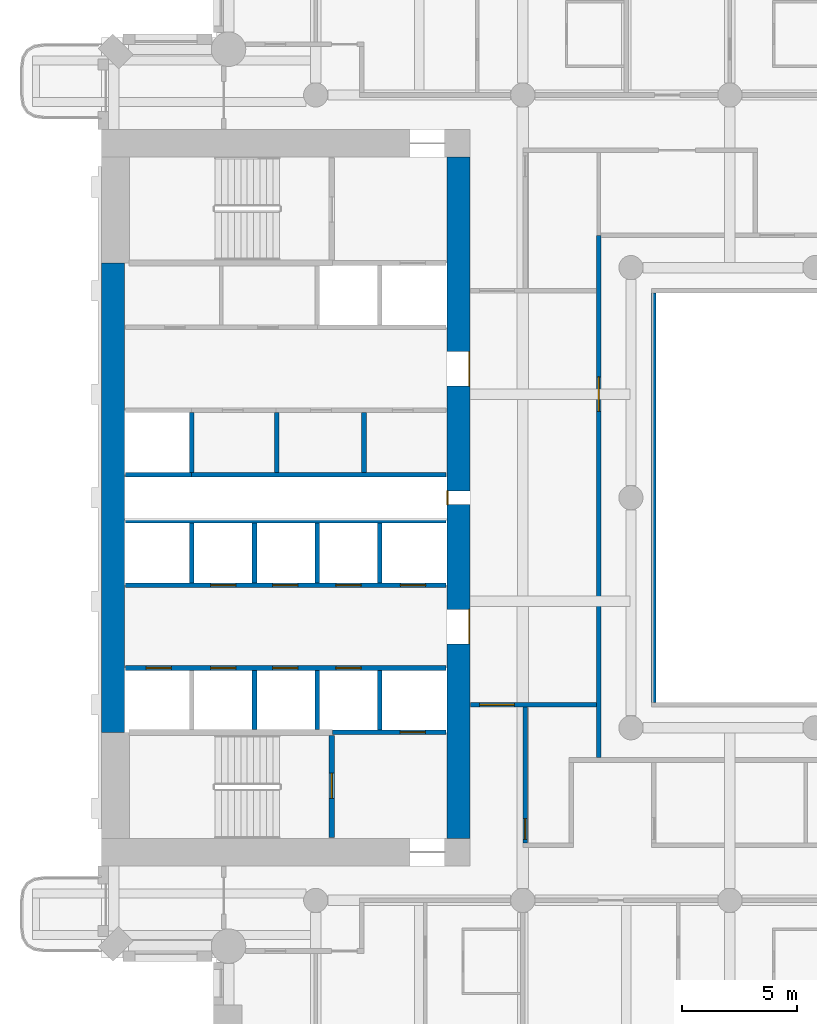
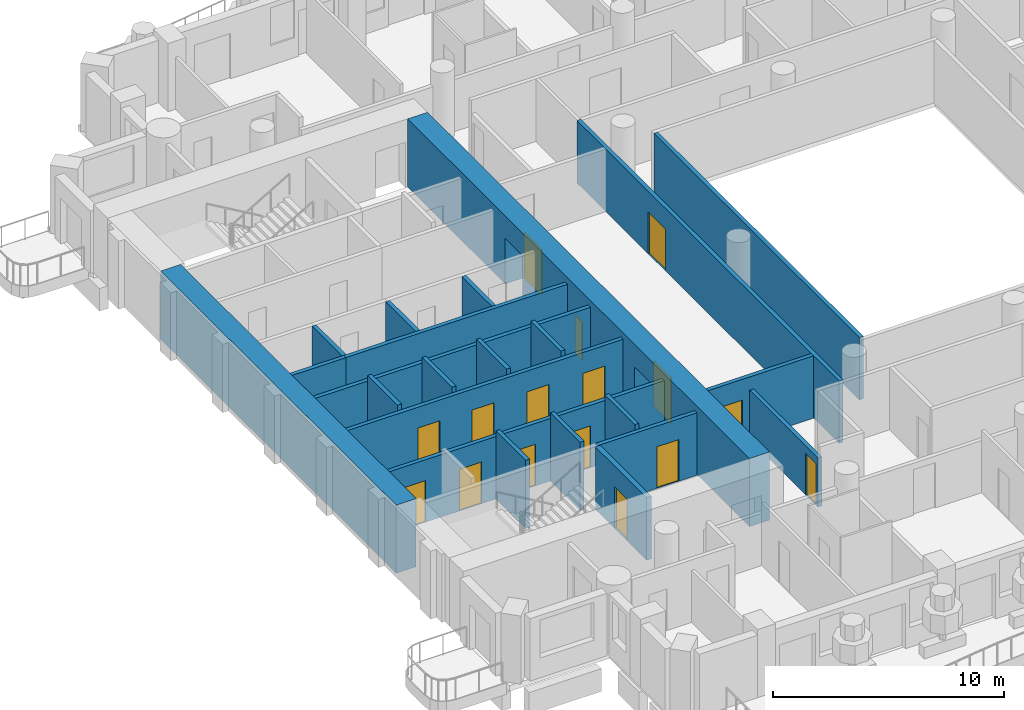
# One storey, part 4 of 20: 23 walls, 16 doors, 16 openings.
"""IFC4 building model written with IfcOpenShell, lengths in metres."""

from ifc_helpers import new_model, si_unit, direction, frame, frame_2d, origin, place, context, subcontext, project, spatial, rectangle, extrude, material, layer, layer_set, type_object, element, fill, save


model = new_model("IFC4")

# Units and contexts
model_context = context("Model", 3, precision=1e-05, world=origin(), true_north=direction((0.0, 1.0)))
body_context = subcontext(model_context, "Body", "Model", "MODEL_VIEW")
ifc_project = project(units=[si_unit("LENGTHUNIT", "METRE"), si_unit("AREAUNIT", "SQUARE_METRE"), si_unit("VOLUMEUNIT", "CUBIC_METRE"), si_unit("PLANEANGLEUNIT", "RADIAN"), si_unit("MASSUNIT", "GRAM", prefix="KILO")], contexts=[model_context])

# Site, building, storey
site_placement = place(None, origin())
site = spatial("IfcSite", under=ifc_project, at=site_placement, CompositionType="ELEMENT")
building_placement = place(site_placement, origin())
building = spatial("IfcBuilding", under=site, at=building_placement, Name="Cypress Arch Tower", CompositionType="ELEMENT")
storey_placement = place(building_placement, frame((0.0, 0.0, 134.699951171875)))
storey = spatial("IfcBuildingStorey", under=building, at=storey_placement, Name="L29", CompositionType="ELEMENT", Elevation=134.699951171875)

# Wall, openings, doors
ifc_material_1 = material(Name="Concrete C80/95", Category="concrete")
ifc_layer_1 = layer(ifc_material_1, 1.0)
ifc_layer_set_1 = layer_set([ifc_layer_1], Name="Core wall CW1000 C80/95")
wall_type_1 = type_object("IfcWallType", Name="Core wall CW1000 C80/95", PredefinedType="SHEAR", material=ifc_layer_set_1)
wall_1_placement = place(storey_placement, frame((-14.5, -14.800048828125, 0.0), z_axis=(0.0, 0.0, 1.0), x_axis=(0.0, 1.0, 0.0)))
wall_1 = element("IfcWall", 1, at=wall_1_placement, inside=storey, type_object=wall_type_1, Name="Core wall", PredefinedType="SHEAR", context=body_context, shape_type="SweptSolid", body=[
    extrude(rectangle(XDim=29.60009765625, YDim=1.0, at=frame_2d((14.800048828125, 0.0))), origin(), (0.0, 0.0, 1.0), 3.60009765625),
])
opening_1_placement = place(wall_1_placement, frame((8.449951171875, 0.0, 0.0)))
opening_1 = element("IfcOpeningElement", 2, at=opening_1_placement, cuts=wall_1, Name="Opening D07", PredefinedType="OPENING", context=body_context, shape_type="SweptSolid", body=[
    extrude(rectangle(XDim=1.5, YDim=2.39990234375, at=frame_2d((0.75, 1.199951171875))), frame((0.0, 0.510009765625, 0.0), z_axis=(0.0, -1.0, 0.0), x_axis=(1.0, 0.0, 0.0)), (0.0, 0.0, 1.0), 1.02001953125),
])
opening_2_placement = place(wall_1_placement, frame((19.64990234375, 0.0, 0.0)))
opening_2 = element("IfcOpeningElement", 3, at=opening_2_placement, cuts=wall_1, Name="Opening D07", PredefinedType="OPENING", context=body_context, shape_type="SweptSolid", body=[
    extrude(rectangle(XDim=1.5, YDim=2.39990234375, at=frame_2d((0.75, 1.199951171875))), frame((0.0, 0.510009765625, 0.0), z_axis=(0.0, -1.0, 0.0), x_axis=(1.0, 0.0, 0.0)), (0.0, 0.0, 1.0), 1.02001953125),
])
opening_3_placement = place(wall_1_placement, frame((14.5, 0.0, 0.0)))
opening_3 = element("IfcOpeningElement", 4, at=opening_3_placement, cuts=wall_1, Name="Opening D08", PredefinedType="OPENING", context=body_context, shape_type="SweptSolid", body=[
    extrude(rectangle(XDim=0.60009765625, YDim=2.0, at=frame_2d((0.300048828125, 1.0))), frame((0.0, 0.510009765625, 0.0), z_axis=(0.0, -1.0, 0.0), x_axis=(1.0, 0.0, 0.0)), (0.0, 0.0, 1.0), 1.02001953125),
])
ifc_material_2 = material(Name="Steel framed glazed door, fire resisting", Category="steel")
door_type_1 = type_object("IfcDoorType", Name="Lobby door D07 1500x2400", OperationType="DOUBLE_DOOR_SINGLE_SWING", PredefinedType="DOOR", material=ifc_material_2)
door_1_placement = place(opening_1_placement, origin())
door_1 = element("IfcDoor", 5, at=door_1_placement, inside=storey, type_object=door_type_1, Name="Lobby door", OperationType="DOUBLE_DOOR_SINGLE_SWING", OverallHeight=2.39990234375, OverallWidth=1.5, PredefinedType="DOOR", context=body_context, shape_type="SweptSolid", body=[
    extrude(rectangle(XDim=1.5, YDim=2.39990234375, at=frame_2d((0.75, 1.199951171875))), frame((0.0, -0.44482421875, 0.0), z_axis=(0.0, -1.0, 0.0), x_axis=(1.0, 0.0, 0.0)), (0.0, 0.0, 1.0), 0.050048828125),
])
fill(opening_1, door_1)
door_2_placement = place(opening_2_placement, origin())
door_2 = element("IfcDoor", 6, at=door_2_placement, inside=storey, type_object=door_type_1, Name="Lobby door", OperationType="DOUBLE_DOOR_SINGLE_SWING", OverallHeight=2.39990234375, OverallWidth=1.5, PredefinedType="DOOR", context=body_context, shape_type="SweptSolid", body=[
    extrude(rectangle(XDim=1.5, YDim=2.39990234375, at=frame_2d((0.75, 1.199951171875))), frame((0.0, -0.44482421875, 0.0), z_axis=(0.0, -1.0, 0.0), x_axis=(1.0, 0.0, 0.0)), (0.0, 0.0, 1.0), 0.050048828125),
])
fill(opening_2, door_2)
ifc_material_3 = material(Name="Steel access door, fire resisting", Category="steel")
door_type_2 = type_object("IfcDoorType", Name="Riser access door D08 600x2000", OperationType="SINGLE_SWING_LEFT", PredefinedType="DOOR", material=ifc_material_3)
door_3_placement = place(opening_3_placement, origin())
door_3 = element("IfcDoor", 7, at=door_3_placement, inside=storey, type_object=door_type_2, Name="Riser access door", OperationType="SINGLE_SWING_RIGHT", OverallHeight=2.0, OverallWidth=0.60009765625, PredefinedType="DOOR", context=body_context, shape_type="SweptSolid", body=[
    extrude(rectangle(XDim=0.60009765625, YDim=2.0, at=frame_2d((0.300048828125, 1.0))), frame((0.0, 0.4951171875, 0.0), z_axis=(0.0, -1.0, 0.0), x_axis=(1.0, 0.0, 0.0)), (0.0, 0.0, 1.0), 0.050048828125),
])
fill(opening_3, door_3)

# Wall
wall_2_placement = place(storey_placement, frame((-29.5, -10.199951171875, 0.0), z_axis=(0.0, 0.0, 1.0), x_axis=(0.0, 1.0, 0.0)))
element("IfcWall", 8, at=wall_2_placement, inside=storey, type_object=wall_type_1, Name="Core wall", PredefinedType="SHEAR", context=body_context, shape_type="SweptSolid", body=[
    extrude(rectangle(XDim=20.39990234375, YDim=1.0, at=frame_2d((10.199951171875, 0.0))), origin(), (0.0, 0.0, 1.0), 3.60009765625),
])

# Wall, opening, door
ifc_material_4 = material(Name="Concrete blockwork, plastered, rated", Category="masonry")
ifc_layer_2 = layer(ifc_material_4, 0.199951171875)
ifc_layer_set_2 = layer_set([ifc_layer_2], Name="Corridor wall FW200")
wall_type_2 = type_object("IfcWallType", Name="Corridor wall FW200", PredefinedType="PARTITIONING", material=ifc_layer_set_2)
wall_3_placement = place(storey_placement, frame((-13.969970703125, -9.0, 0.0), z_axis=(0.0, 0.0, 1.0), x_axis=(1.0, 0.0, 0.0)))
wall_3 = element("IfcWall", 9, at=wall_3_placement, inside=storey, type_object=wall_type_2, Name="Corridor wall", PredefinedType="PARTITIONING", context=body_context, shape_type="SweptSolid", body=[
    extrude(rectangle(XDim=5.469970703125, YDim=0.199951171875, at=frame_2d((2.73486328125, 0.0))), origin(), (0.0, 0.0, 1.0), 3.300048828125),
])
opening_4_placement = place(wall_3_placement, frame((0.39990234375, 0.0, 0.0)))
opening_4 = element("IfcOpeningElement", 10, at=opening_4_placement, cuts=wall_3, Name="Opening D04", PredefinedType="OPENING", context=body_context, shape_type="SweptSolid", body=[
    extrude(rectangle(XDim=1.5, YDim=2.199951171875, at=frame_2d((0.75, 1.10009765625))), frame((0.0, 0.10986328125, 0.0), z_axis=(0.0, -1.0, 0.0), x_axis=(1.0, 0.0, 0.0)), (0.0, 0.0, 1.0), 0.219970703125),
])
ifc_material_5 = material(Name="Timber double door", Category="wood")
door_type_3 = type_object("IfcDoorType", Name="Double door D04 1500x2200", OperationType="DOUBLE_DOOR_SINGLE_SWING", PredefinedType="DOOR", material=ifc_material_5)
door_4_placement = place(opening_4_placement, origin())
door_4 = element("IfcDoor", 11, at=door_4_placement, inside=storey, type_object=door_type_3, Name="Double door", OperationType="DOUBLE_DOOR_SINGLE_SWING", OverallHeight=2.199951171875, OverallWidth=1.5, PredefinedType="DOOR", context=body_context, shape_type="SweptSolid", body=[
    extrude(rectangle(XDim=1.5, YDim=2.199951171875, at=frame_2d((0.75, 1.10009765625))), frame((0.0, 0.02490234375, 0.0), z_axis=(0.0, -1.0, 0.0), x_axis=(1.0, 0.0, 0.0)), (0.0, 0.0, 1.0), 0.050048828125),
])
fill(opening_4, door_4)

wall_4_placement = place(storey_placement, frame((-11.60009765625, -15.0, 0.0), z_axis=(0.0, 0.0, 1.0), x_axis=(0.0, 1.0, 0.0)))
wall_4 = element("IfcWall", 12, at=wall_4_placement, inside=storey, type_object=wall_type_2, Name="Corridor wall", PredefinedType="PARTITIONING", context=body_context, shape_type="SweptSolid", body=[
    extrude(rectangle(XDim=5.89990234375, YDim=0.199951171875, at=frame_2d((2.949951171875, 0.0))), origin(), (0.0, 0.0, 1.0), 2.60009765625),
])
opening_5_placement = place(wall_4_placement, frame((0.14990234375, 0.0, 0.0)))
opening_5 = element("IfcOpeningElement", 13, at=opening_5_placement, cuts=wall_4, Name="Opening D05", PredefinedType="OPENING", context=body_context, shape_type="SweptSolid", body=[
    extrude(rectangle(XDim=0.89990234375, YDim=2.199951171875, at=frame_2d((0.449951171875, 1.10009765625))), frame((0.0, 0.10986328125, 0.0), z_axis=(0.0, -1.0, 0.0), x_axis=(1.0, 0.0, 0.0)), (0.0, 0.0, 1.0), 0.219970703125),
])
ifc_material_6 = material(Name="Timber flush door", Category="wood")
door_type_4 = type_object("IfcDoorType", Name="Service door D05 900x2200", OperationType="SINGLE_SWING_LEFT", PredefinedType="DOOR", material=ifc_material_6)
door_5_placement = place(opening_5_placement, origin())
door_5 = element("IfcDoor", 14, at=door_5_placement, inside=storey, type_object=door_type_4, Name="Service door", OperationType="SINGLE_SWING_RIGHT", OverallHeight=2.199951171875, OverallWidth=0.89990234375, PredefinedType="DOOR", context=body_context, shape_type="SweptSolid", body=[
    extrude(rectangle(XDim=0.89990234375, YDim=2.199951171875, at=frame_2d((0.449951171875, 1.10009765625))), frame((0.0, 0.02490234375, 0.0), z_axis=(0.0, -1.0, 0.0), x_axis=(1.0, 0.0, 0.0)), (0.0, 0.0, 1.0), 0.050048828125),
])
fill(opening_5, door_5)

wall_5_placement = place(storey_placement, frame((-8.39990234375, -11.300048828125, 0.0), z_axis=(0.0, 0.0, 1.0), x_axis=(0.0, 1.0, 0.0)))
wall_5 = element("IfcWall", 15, at=wall_5_placement, inside=storey, type_object=wall_type_2, Name="Corridor wall", PredefinedType="PARTITIONING", context=body_context, shape_type="SweptSolid", body=[
    extrude(rectangle(XDim=22.699951171875, YDim=0.199951171875, at=frame_2d((11.35009765625, 0.0))), origin(), (0.0, 0.0, 1.0), 3.300048828125),
])
opening_6_placement = place(wall_5_placement, frame((15.050048828125, 0.0, 0.0)))
opening_6 = element("IfcOpeningElement", 16, at=opening_6_placement, cuts=wall_5, Name="Opening D04", PredefinedType="OPENING", context=body_context, shape_type="SweptSolid", body=[
    extrude(rectangle(XDim=1.5, YDim=2.199951171875, at=frame_2d((0.75, 1.10009765625))), frame((0.0, 0.10986328125, 0.0), z_axis=(0.0, -1.0, 0.0), x_axis=(1.0, 0.0, 0.0)), (0.0, 0.0, 1.0), 0.219970703125),
])
door_6_placement = place(opening_6_placement, origin())
door_6 = element("IfcDoor", 17, at=door_6_placement, inside=storey, type_object=door_type_3, Name="Double door", OperationType="DOUBLE_DOOR_SINGLE_SWING", OverallHeight=2.199951171875, OverallWidth=1.5, PredefinedType="DOOR", context=body_context, shape_type="SweptSolid", body=[
    extrude(rectangle(XDim=1.5, YDim=2.199951171875, at=frame_2d((0.75, 1.10009765625))), frame((0.0, 0.02490234375, 0.0), z_axis=(0.0, -1.0, 0.0), x_axis=(1.0, 0.0, 0.0)), (0.0, 0.0, 1.0), 0.050048828125),
])
fill(opening_6, door_6)

# Walls
wall_6_placement = place(storey_placement, frame((-6.0, -8.89990234375, 0.0), z_axis=(0.0, 0.0, 1.0), x_axis=(0.0, 1.0, 0.0)))
element("IfcWall", 18, at=wall_6_placement, inside=storey, type_object=wall_type_2, Name="Corridor wall", PredefinedType="PARTITIONING", context=body_context, shape_type="SweptSolid", body=[
    extrude(rectangle(XDim=17.7998046875, YDim=0.199951171875, at=frame_2d((8.89990234375, 0.0))), origin(), (0.0, 0.0, 1.0), 3.300048828125),
])
ifc_material_7 = material(Name="Reinforced blockwork, plastered, rated", Category="masonry")
ifc_layer_3 = layer(ifc_material_7, 0.199951171875)
ifc_layer_set_3 = layer_set([ifc_layer_3], Name="Plant and riser wall PL200")
wall_type_3 = type_object("IfcWallType", Name="Plant and riser wall PL200", PredefinedType="PARTITIONING", material=ifc_layer_set_3)
wall_7_placement = place(storey_placement, frame((-26.10009765625, 1.0, 0.0), z_axis=(0.0, 0.0, 1.0), x_axis=(1.0, 0.0, 0.0)))
element("IfcWall", 19, at=wall_7_placement, inside=storey, type_object=wall_type_3, Name="Plant and riser wall", PredefinedType="PARTITIONING", context=body_context, shape_type="SweptSolid", body=[
    extrude(rectangle(XDim=11.070068359375, YDim=0.199951171875, at=frame_2d((5.53515625, 0.0))), origin(), (0.0, 0.0, 1.0), 3.300048828125),
])
for number, where, z_axis, x_axis, name in (
    (20, (-22.39990234375, 1.10009765625, 0.0), (0.0, 0.0, 1.0), (0.0, 1.0, 0.0), "Plant and riser wall"),
    (21, (-18.60009765625, 1.10009765625, 0.0), (0.0, 0.0, 1.0), (0.0, 1.0, 0.0), "Plant and riser wall"),
):
    element("IfcWall", number, at=place(storey_placement, frame(where, z_axis=z_axis, x_axis=x_axis)), inside=storey, type_object=wall_type_3, Name=name, PredefinedType="PARTITIONING", context=body_context, shape_type="SweptSolid", body=[
        extrude(rectangle(XDim=2.599853515625, YDim=0.199951171875, at=frame_2d((1.2998046875, 0.0))), origin(), (0.0, 0.0, 1.0), 3.300048828125),
    ])

# Wall, openings, doors
ifc_material_8 = material(Name="Concrete C50/60", Category="concrete")
ifc_layer_4 = layer(ifc_material_8, 0.199951171875)
ifc_layer_set_4 = layer_set([ifc_layer_4], Name="Shaft wall SH200")
wall_type_4 = type_object("IfcWallType", Name="Shaft wall SH200", PredefinedType="SHEAR", material=ifc_layer_set_4)
wall_8_placement = place(storey_placement, frame((-28.969970703125, -7.39990234375, 0.0), z_axis=(0.0, 0.0, 1.0), x_axis=(1.0, 0.0, 0.0)))
wall_8 = element("IfcWall", 22, at=wall_8_placement, inside=storey, type_object=wall_type_4, Name="Shaft wall", PredefinedType="SHEAR", context=body_context, shape_type="SweptSolid", body=[
    extrude(rectangle(XDim=13.93994140625, YDim=0.199951171875, at=frame_2d((6.969970703125, 0.0))), origin(), (0.0, 0.0, 1.0), 3.300048828125),
])
opening_7_placement = place(wall_8_placement, frame((0.89990234375, 0.0, 0.0)))
opening_7 = element("IfcOpeningElement", 23, at=opening_7_placement, cuts=wall_8, Name="Opening LD-LR1", PredefinedType="OPENING", context=body_context, shape_type="SweptSolid", body=[
    extrude(rectangle(XDim=1.10009765625, YDim=2.199951171875, at=frame_2d((0.550048828125, 1.10009765625))), frame((0.0, 0.10986328125, 0.0), z_axis=(0.0, -1.0, 0.0), x_axis=(1.0, 0.0, 0.0)), (0.0, 0.0, 1.0), 0.219970703125),
])
opening_8_placement = place(wall_8_placement, frame((3.699951171875, 0.0, 0.0)))
opening_8 = element("IfcOpeningElement", 24, at=opening_8_placement, cuts=wall_8, Name="Opening LD-LR2", PredefinedType="OPENING", context=body_context, shape_type="SweptSolid", body=[
    extrude(rectangle(XDim=1.10009765625, YDim=2.199951171875, at=frame_2d((0.550048828125, 1.10009765625))), frame((0.0, 0.10986328125, 0.0), z_axis=(0.0, -1.0, 0.0), x_axis=(1.0, 0.0, 0.0)), (0.0, 0.0, 1.0), 0.219970703125),
])
opening_9_placement = place(wall_8_placement, frame((6.39990234375, 0.0, 0.0)))
opening_9 = element("IfcOpeningElement", 25, at=opening_9_placement, cuts=wall_8, Name="Opening LD-LR3", PredefinedType="OPENING", context=body_context, shape_type="SweptSolid", body=[
    extrude(rectangle(XDim=1.10009765625, YDim=2.199951171875, at=frame_2d((0.550048828125, 1.10009765625))), frame((0.0, 0.10986328125, 0.0), z_axis=(0.0, -1.0, 0.0), x_axis=(1.0, 0.0, 0.0)), (0.0, 0.0, 1.0), 0.219970703125),
])
opening_10_placement = place(wall_8_placement, frame((9.14990234375, 0.0, 0.0)))
opening_10 = element("IfcOpeningElement", 26, at=opening_10_placement, cuts=wall_8, Name="Opening LD-LR4", PredefinedType="OPENING", context=body_context, shape_type="SweptSolid", body=[
    extrude(rectangle(XDim=1.10009765625, YDim=2.199951171875, at=frame_2d((0.550048828125, 1.10009765625))), frame((0.0, 0.10986328125, 0.0), z_axis=(0.0, -1.0, 0.0), x_axis=(1.0, 0.0, 0.0)), (0.0, 0.0, 1.0), 0.219970703125),
])
ifc_material_9 = material(Name="Stainless steel centre-opening landing door, rated", Category="steel")
door_type_5 = type_object("IfcDoorType", Name="Lift landing door LD 1100x2200", OperationType="DOUBLE_DOOR_SLIDING", PredefinedType="DOOR", material=ifc_material_9)
door_7_placement = place(opening_7_placement, origin())
door_7 = element("IfcDoor", 27, at=door_7_placement, inside=storey, type_object=door_type_5, Name="Lift landing doors LR1", OperationType="DOUBLE_DOOR_SLIDING", OverallHeight=2.199951171875, OverallWidth=1.10009765625, PredefinedType="DOOR", context=body_context, shape_type="SweptSolid", body=[
    extrude(rectangle(XDim=1.10009765625, YDim=2.199951171875, at=frame_2d((0.550048828125, 1.10009765625))), frame((0.0, 0.02490234375, 0.0), z_axis=(0.0, -1.0, 0.0), x_axis=(1.0, 0.0, 0.0)), (0.0, 0.0, 1.0), 0.050048828125),
])
fill(opening_7, door_7)
door_8_placement = place(opening_8_placement, origin())
door_8 = element("IfcDoor", 28, at=door_8_placement, inside=storey, type_object=door_type_5, Name="Lift landing doors LR2", OperationType="DOUBLE_DOOR_SLIDING", OverallHeight=2.199951171875, OverallWidth=1.10009765625, PredefinedType="DOOR", context=body_context, shape_type="SweptSolid", body=[
    extrude(rectangle(XDim=1.10009765625, YDim=2.199951171875, at=frame_2d((0.550048828125, 1.10009765625))), frame((0.0, 0.02490234375, 0.0), z_axis=(0.0, -1.0, 0.0), x_axis=(1.0, 0.0, 0.0)), (0.0, 0.0, 1.0), 0.050048828125),
])
fill(opening_8, door_8)
door_9_placement = place(opening_9_placement, origin())
door_9 = element("IfcDoor", 29, at=door_9_placement, inside=storey, type_object=door_type_5, Name="Lift landing doors LR3", OperationType="DOUBLE_DOOR_SLIDING", OverallHeight=2.199951171875, OverallWidth=1.10009765625, PredefinedType="DOOR", context=body_context, shape_type="SweptSolid", body=[
    extrude(rectangle(XDim=1.10009765625, YDim=2.199951171875, at=frame_2d((0.550048828125, 1.10009765625))), frame((0.0, 0.02490234375, 0.0), z_axis=(0.0, -1.0, 0.0), x_axis=(1.0, 0.0, 0.0)), (0.0, 0.0, 1.0), 0.050048828125),
])
fill(opening_9, door_9)
door_10_placement = place(opening_10_placement, origin())
door_10 = element("IfcDoor", 30, at=door_10_placement, inside=storey, type_object=door_type_5, Name="Lift landing doors LR4", OperationType="DOUBLE_DOOR_SLIDING", OverallHeight=2.199951171875, OverallWidth=1.10009765625, PredefinedType="DOOR", context=body_context, shape_type="SweptSolid", body=[
    extrude(rectangle(XDim=1.10009765625, YDim=2.199951171875, at=frame_2d((0.550048828125, 1.10009765625))), frame((0.0, 0.02490234375, 0.0), z_axis=(0.0, -1.0, 0.0), x_axis=(1.0, 0.0, 0.0)), (0.0, 0.0, 1.0), 0.050048828125),
])
fill(opening_10, door_10)

wall_9_placement = place(storey_placement, frame((-28.969970703125, -3.800048828125, 0.0), z_axis=(0.0, 0.0, 1.0), x_axis=(1.0, 0.0, 0.0)))
wall_9 = element("IfcWall", 31, at=wall_9_placement, inside=storey, type_object=wall_type_4, Name="Shaft wall", PredefinedType="SHEAR", context=body_context, shape_type="SweptSolid", body=[
    extrude(rectangle(XDim=13.93994140625, YDim=0.199951171875, at=frame_2d((6.969970703125, 0.0))), origin(), (0.0, 0.0, 1.0), 3.300048828125),
])
opening_11_placement = place(wall_9_placement, frame((3.699951171875, 0.0, 0.0)))
opening_11 = element("IfcOpeningElement", 32, at=opening_11_placement, cuts=wall_9, Name="Opening LD-LR5", PredefinedType="OPENING", context=body_context, shape_type="SweptSolid", body=[
    extrude(rectangle(XDim=1.10009765625, YDim=2.199951171875, at=frame_2d((0.550048828125, 1.10009765625))), frame((0.0, 0.10986328125, 0.0), z_axis=(0.0, -1.0, 0.0), x_axis=(1.0, 0.0, 0.0)), (0.0, 0.0, 1.0), 0.219970703125),
])
opening_12_placement = place(wall_9_placement, frame((6.39990234375, 0.0, 0.0)))
opening_12 = element("IfcOpeningElement", 33, at=opening_12_placement, cuts=wall_9, Name="Opening LD-LR6", PredefinedType="OPENING", context=body_context, shape_type="SweptSolid", body=[
    extrude(rectangle(XDim=1.10009765625, YDim=2.199951171875, at=frame_2d((0.550048828125, 1.10009765625))), frame((0.0, 0.10986328125, 0.0), z_axis=(0.0, -1.0, 0.0), x_axis=(1.0, 0.0, 0.0)), (0.0, 0.0, 1.0), 0.219970703125),
])
opening_13_placement = place(wall_9_placement, frame((9.14990234375, 0.0, 0.0)))
opening_13 = element("IfcOpeningElement", 34, at=opening_13_placement, cuts=wall_9, Name="Opening LD-LR7", PredefinedType="OPENING", context=body_context, shape_type="SweptSolid", body=[
    extrude(rectangle(XDim=1.10009765625, YDim=2.199951171875, at=frame_2d((0.550048828125, 1.10009765625))), frame((0.0, 0.10986328125, 0.0), z_axis=(0.0, -1.0, 0.0), x_axis=(1.0, 0.0, 0.0)), (0.0, 0.0, 1.0), 0.219970703125),
])
opening_14_placement = place(wall_9_placement, frame((11.949951171875, 0.0, 0.0)))
opening_14 = element("IfcOpeningElement", 35, at=opening_14_placement, cuts=wall_9, Name="Opening LD-LR8", PredefinedType="OPENING", context=body_context, shape_type="SweptSolid", body=[
    extrude(rectangle(XDim=1.10009765625, YDim=2.199951171875, at=frame_2d((0.550048828125, 1.10009765625))), frame((0.0, 0.10986328125, 0.0), z_axis=(0.0, -1.0, 0.0), x_axis=(1.0, 0.0, 0.0)), (0.0, 0.0, 1.0), 0.219970703125),
])
door_11_placement = place(opening_11_placement, origin())
door_11 = element("IfcDoor", 36, at=door_11_placement, inside=storey, type_object=door_type_5, Name="Lift landing doors LR5", OperationType="DOUBLE_DOOR_SLIDING", OverallHeight=2.199951171875, OverallWidth=1.10009765625, PredefinedType="DOOR", context=body_context, shape_type="SweptSolid", body=[
    extrude(rectangle(XDim=1.10009765625, YDim=2.199951171875, at=frame_2d((0.550048828125, 1.10009765625))), frame((0.0, 0.02490234375, 0.0), z_axis=(0.0, -1.0, 0.0), x_axis=(1.0, 0.0, 0.0)), (0.0, 0.0, 1.0), 0.050048828125),
])
fill(opening_11, door_11)
door_12_placement = place(opening_12_placement, origin())
door_12 = element("IfcDoor", 37, at=door_12_placement, inside=storey, type_object=door_type_5, Name="Lift landing doors LR6", OperationType="DOUBLE_DOOR_SLIDING", OverallHeight=2.199951171875, OverallWidth=1.10009765625, PredefinedType="DOOR", context=body_context, shape_type="SweptSolid", body=[
    extrude(rectangle(XDim=1.10009765625, YDim=2.199951171875, at=frame_2d((0.550048828125, 1.10009765625))), frame((0.0, 0.02490234375, 0.0), z_axis=(0.0, -1.0, 0.0), x_axis=(1.0, 0.0, 0.0)), (0.0, 0.0, 1.0), 0.050048828125),
])
fill(opening_12, door_12)
door_13_placement = place(opening_13_placement, origin())
door_13 = element("IfcDoor", 38, at=door_13_placement, inside=storey, type_object=door_type_5, Name="Lift landing doors LR7", OperationType="DOUBLE_DOOR_SLIDING", OverallHeight=2.199951171875, OverallWidth=1.10009765625, PredefinedType="DOOR", context=body_context, shape_type="SweptSolid", body=[
    extrude(rectangle(XDim=1.10009765625, YDim=2.199951171875, at=frame_2d((0.550048828125, 1.10009765625))), frame((0.0, 0.02490234375, 0.0), z_axis=(0.0, -1.0, 0.0), x_axis=(1.0, 0.0, 0.0)), (0.0, 0.0, 1.0), 0.050048828125),
])
fill(opening_13, door_13)
door_14_placement = place(opening_14_placement, origin())
door_14 = element("IfcDoor", 39, at=door_14_placement, inside=storey, type_object=door_type_5, Name="Lift landing doors LR8", OperationType="DOUBLE_DOOR_SLIDING", OverallHeight=2.199951171875, OverallWidth=1.10009765625, PredefinedType="DOOR", context=body_context, shape_type="SweptSolid", body=[
    extrude(rectangle(XDim=1.10009765625, YDim=2.199951171875, at=frame_2d((0.550048828125, 1.10009765625))), frame((0.0, 0.02490234375, 0.0), z_axis=(0.0, -1.0, 0.0), x_axis=(1.0, 0.0, 0.0)), (0.0, 0.0, 1.0), 0.050048828125),
])
fill(opening_14, door_14)

# Walls
wall_10_placement = place(storey_placement, frame((-28.969970703125, -1.0, 0.0), z_axis=(0.0, 0.0, 1.0), x_axis=(1.0, 0.0, 0.0)))
element("IfcWall", 40, at=wall_10_placement, inside=storey, type_object=wall_type_4, Name="Shaft wall", PredefinedType="SHEAR", context=body_context, shape_type="SweptSolid", body=[
    extrude(rectangle(XDim=13.93994140625, YDim=0.199951171875, at=frame_2d((6.969970703125, 0.0))), origin(), (0.0, 0.0, 1.0), 3.300048828125),
])
wall_11_placement = place(storey_placement, frame((-28.969970703125, 1.0, 0.0), z_axis=(0.0, 0.0, 1.0), x_axis=(1.0, 0.0, 0.0)))
element("IfcWall", 41, at=wall_11_placement, inside=storey, type_object=wall_type_4, Name="Shaft wall", PredefinedType="SHEAR", context=body_context, shape_type="SweptSolid", body=[
    extrude(rectangle(XDim=2.869873046875, YDim=0.199951171875, at=frame_2d((1.43505859375, 0.0))), origin(), (0.0, 0.0, 1.0), 3.300048828125),
])
wall_12_placement = place(storey_placement, frame((-26.080078125, -3.699951171875, 0.0), z_axis=(0.0, 0.0, 1.0), x_axis=(0.0, 1.0, 0.0)))
element("IfcWall", 42, at=wall_12_placement, inside=storey, type_object=wall_type_4, Name="Shaft wall", PredefinedType="SHEAR", context=body_context, shape_type="SweptSolid", body=[
    extrude(rectangle(XDim=2.599853515625, YDim=0.199951171875, at=frame_2d((1.2998046875, 0.0))), origin(), (0.0, 0.0, 1.0), 3.60009765625),
])
wall_13_placement = place(storey_placement, frame((-26.080078125, 1.10009765625, 0.0), z_axis=(0.0, 0.0, 1.0), x_axis=(0.0, 1.0, 0.0)))
element("IfcWall", 43, at=wall_13_placement, inside=storey, type_object=wall_type_4, Name="Shaft wall", PredefinedType="SHEAR", context=body_context, shape_type="SweptSolid", body=[
    extrude(rectangle(XDim=2.599853515625, YDim=0.199951171875, at=frame_2d((1.2998046875, 0.0))), origin(), (0.0, 0.0, 1.0), 3.300048828125),
])
wall_14_placement = place(storey_placement, frame((-23.360107421875, -10.074951171875, 0.0), z_axis=(0.0, 0.0, 1.0), x_axis=(0.0, 1.0, 0.0)))
element("IfcWall", 44, at=wall_14_placement, inside=storey, type_object=wall_type_4, Name="Shaft wall", PredefinedType="SHEAR", context=body_context, shape_type="SweptSolid", body=[
    extrude(rectangle(XDim=2.574951171875, YDim=0.199951171875, at=frame_2d((1.28759765625, 0.0))), origin(), (0.0, 0.0, 1.0), 3.60009765625),
])
wall_15_placement = place(storey_placement, frame((-23.360107421875, -3.699951171875, 0.0), z_axis=(0.0, 0.0, 1.0), x_axis=(0.0, 1.0, 0.0)))
element("IfcWall", 45, at=wall_15_placement, inside=storey, type_object=wall_type_4, Name="Shaft wall", PredefinedType="SHEAR", context=body_context, shape_type="SweptSolid", body=[
    extrude(rectangle(XDim=2.599853515625, YDim=0.199951171875, at=frame_2d((1.2998046875, 0.0))), origin(), (0.0, 0.0, 1.0), 3.60009765625),
])
wall_16_placement = place(storey_placement, frame((-20.639892578125, -10.074951171875, 0.0), z_axis=(0.0, 0.0, 1.0), x_axis=(0.0, 1.0, 0.0)))
element("IfcWall", 46, at=wall_16_placement, inside=storey, type_object=wall_type_4, Name="Shaft wall", PredefinedType="SHEAR", context=body_context, shape_type="SweptSolid", body=[
    extrude(rectangle(XDim=2.574951171875, YDim=0.199951171875, at=frame_2d((1.28759765625, 0.0))), origin(), (0.0, 0.0, 1.0), 3.60009765625),
])
wall_17_placement = place(storey_placement, frame((-20.639892578125, -3.699951171875, 0.0), z_axis=(0.0, 0.0, 1.0), x_axis=(0.0, 1.0, 0.0)))
element("IfcWall", 47, at=wall_17_placement, inside=storey, type_object=wall_type_4, Name="Shaft wall", PredefinedType="SHEAR", context=body_context, shape_type="SweptSolid", body=[
    extrude(rectangle(XDim=2.599853515625, YDim=0.199951171875, at=frame_2d((1.2998046875, 0.0))), origin(), (0.0, 0.0, 1.0), 3.60009765625),
])

# Wall, opening, door
wall_18_placement = place(storey_placement, frame((-19.97998046875, -10.199951171875, 0.0), z_axis=(0.0, 0.0, 1.0), x_axis=(1.0, 0.0, 0.0)))
wall_18 = element("IfcWall", 48, at=wall_18_placement, inside=storey, type_object=wall_type_4, Name="Shaft wall", PredefinedType="SHEAR", context=body_context, shape_type="SweptSolid", body=[
    extrude(rectangle(XDim=4.949951171875, YDim=0.199951171875, at=frame_2d((2.47509765625, 0.0))), origin(), (0.0, 0.0, 1.0), 3.300048828125),
])
opening_15_placement = place(wall_18_placement, frame((2.949951171875, 0.0, 0.0)))
opening_15 = element("IfcOpeningElement", 49, at=opening_15_placement, cuts=wall_18, Name="Opening LD-FL1", PredefinedType="OPENING", context=body_context, shape_type="SweptSolid", body=[
    extrude(rectangle(XDim=1.10009765625, YDim=2.199951171875, at=frame_2d((0.550048828125, 1.10009765625))), frame((0.0, 0.10986328125, 0.0), z_axis=(0.0, -1.0, 0.0), x_axis=(1.0, 0.0, 0.0)), (0.0, 0.0, 1.0), 0.219970703125),
])
door_15_placement = place(opening_15_placement, origin())
door_15 = element("IfcDoor", 50, at=door_15_placement, inside=storey, type_object=door_type_5, Name="Lift landing doors FL1", OperationType="DOUBLE_DOOR_SLIDING", OverallHeight=2.199951171875, OverallWidth=1.10009765625, PredefinedType="DOOR", context=body_context, shape_type="SweptSolid", body=[
    extrude(rectangle(XDim=1.10009765625, YDim=2.199951171875, at=frame_2d((0.550048828125, 1.10009765625))), frame((0.0, 0.02490234375, 0.0), z_axis=(0.0, -1.0, 0.0), x_axis=(1.0, 0.0, 0.0)), (0.0, 0.0, 1.0), 0.050048828125),
])
fill(opening_15, door_15)

# Walls
wall_19_placement = place(storey_placement, frame((-17.919921875, -10.10009765625, 0.0), z_axis=(0.0, 0.0, 1.0), x_axis=(0.0, 1.0, 0.0)))
element("IfcWall", 51, at=wall_19_placement, inside=storey, type_object=wall_type_4, Name="Shaft wall", PredefinedType="SHEAR", context=body_context, shape_type="SweptSolid", body=[
    extrude(rectangle(XDim=2.60009765625, YDim=0.199951171875, at=frame_2d((1.300048828125, 0.0))), origin(), (0.0, 0.0, 1.0), 3.60009765625),
])
wall_20_placement = place(storey_placement, frame((-17.919921875, -3.699951171875, 0.0), z_axis=(0.0, 0.0, 1.0), x_axis=(0.0, 1.0, 0.0)))
element("IfcWall", 52, at=wall_20_placement, inside=storey, type_object=wall_type_4, Name="Shaft wall", PredefinedType="SHEAR", context=body_context, shape_type="SweptSolid", body=[
    extrude(rectangle(XDim=2.599853515625, YDim=0.199951171875, at=frame_2d((1.2998046875, 0.0))), origin(), (0.0, 0.0, 1.0), 3.60009765625),
])

# Wall, opening, door
ifc_material_10 = material(Name="Concrete C50/60", Category="concrete")
ifc_layer_5 = layer(ifc_material_10, 0.25)
ifc_layer_set_5 = layer_set([ifc_layer_5], Name="Stair enclosure wall SW250")
wall_type_5 = type_object("IfcWallType", Name="Stair enclosure wall SW250", PredefinedType="SHEAR", material=ifc_layer_set_5)
wall_21_placement = place(storey_placement, frame((-20.0, -14.77001953125, 0.0), z_axis=(0.0, 0.0, 1.0), x_axis=(0.0, 1.0, 0.0)))
wall_21 = element("IfcWall", 53, at=wall_21_placement, inside=storey, type_object=wall_type_5, Name="Stair enclosure wall", PredefinedType="SHEAR", context=body_context, shape_type="SweptSolid", body=[
    extrude(rectangle(XDim=4.445068359375, YDim=0.25, at=frame_2d((2.22265625, 0.0))), origin(), (0.0, 0.0, 1.0), 3.300048828125),
])
opening_16_placement = place(wall_21_placement, frame((1.699951171875, 0.0, 0.0)))
opening_16 = element("IfcOpeningElement", 54, at=opening_16_placement, cuts=wall_21, Name="Opening D06", PredefinedType="OPENING", context=body_context, shape_type="SweptSolid", body=[
    extrude(rectangle(XDim=1.10009765625, YDim=2.199951171875, at=frame_2d((0.550048828125, 1.10009765625))), frame((0.0, 0.135009765625, 0.0), z_axis=(0.0, -1.0, 0.0), x_axis=(1.0, 0.0, 0.0)), (0.0, 0.0, 1.0), 0.27001953125),
])
ifc_material_11 = material(Name="Steel door, fire resisting, panic bar", Category="steel")
door_type_6 = type_object("IfcDoorType", Name="Stair door D06 1100x2200", OperationType="SINGLE_SWING_LEFT", PredefinedType="DOOR", material=ifc_material_11)
door_16_placement = place(opening_16_placement, origin())
door_16 = element("IfcDoor", 55, at=door_16_placement, inside=storey, type_object=door_type_6, Name="Stair door", OperationType="SINGLE_SWING_RIGHT", OverallHeight=2.199951171875, OverallWidth=1.10009765625, PredefinedType="DOOR", context=body_context, shape_type="SweptSolid", body=[
    extrude(rectangle(XDim=1.10009765625, YDim=2.199951171875, at=frame_2d((0.550048828125, 1.10009765625))), frame((0.0, 0.02490234375, 0.0), z_axis=(0.0, -1.0, 0.0), x_axis=(1.0, 0.0, 0.0)), (0.0, 0.0, 1.0), 0.050048828125),
])
fill(opening_16, door_16)

save(model, "model.ifc")
